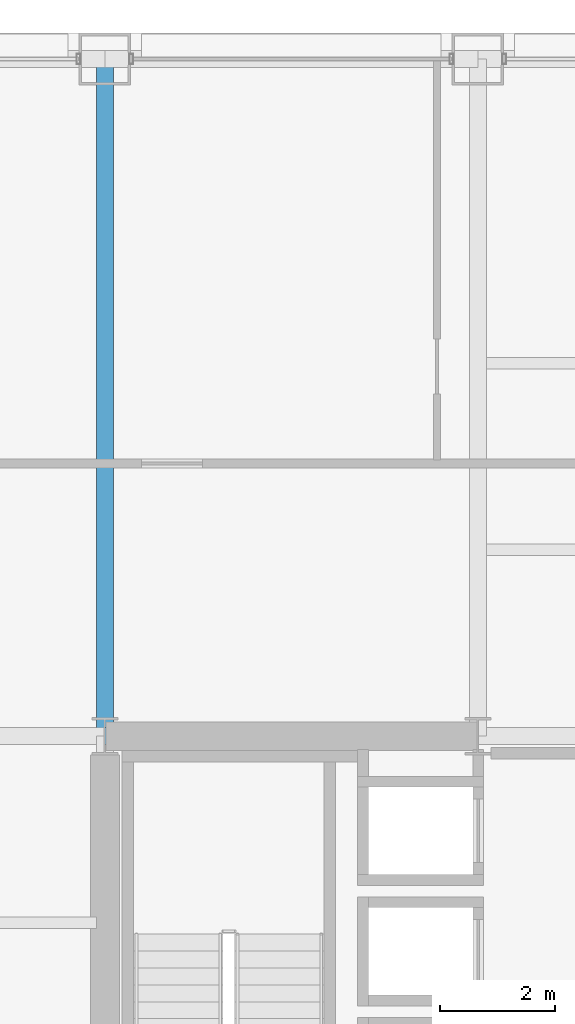
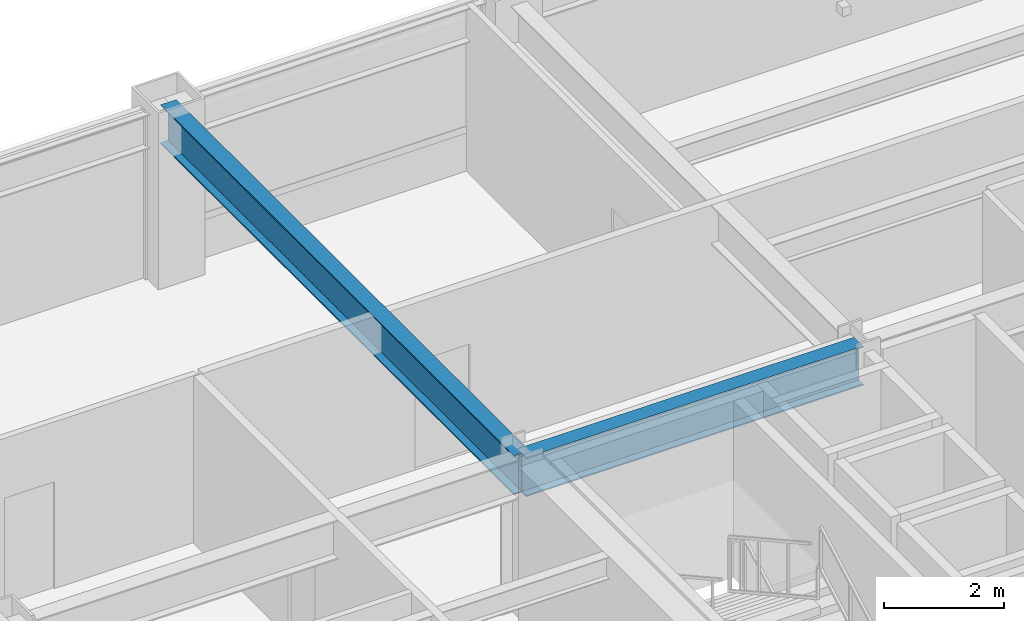
# One storey, part 16 of 30: 2 beams.
"""IFC4 building model written with IfcOpenShell, lengths in metres."""

import ifcopenshell
import ifcopenshell.guid

model = None  # the IFC model being written
_history = None  # IfcOwnerHistory: only IFC2X3 demands one
_inside = {}  # id of a spatial element -> (the spatial element, [elements in it])
_under = {}  # id of a project, library or spatial element -> (it, [spatial elements below it])
_declared = {}  # id of a project -> (the project, [libraries it declares])
_typed = {}  # id of a type object -> (the type object, [elements of that type])
_made_of = {}  # id of a material, layer set ... -> (it, [elements and type objects made of it])


def new_model(schema):
    """Start an empty IFC model of exactly this schema.

    Asked for "IFC4X3", IfcOpenShell would pick the latest addendum, in which some entities
    have other attributes; the version numbers below select the first issue.
    IFC2X3 requires an IfcOwnerHistory on every rooted entity: one is made here for all.
    """
    global model, _history
    if schema == "IFC4X3":
        model = ifcopenshell.file(schema_version=(4, 3, 0, 0))
    else:
        model = ifcopenshell.file(schema=schema)
    _inside.clear()
    _under.clear()
    _declared.clear()
    _typed.clear()
    _made_of.clear()
    _history = None
    if model.schema == "IFC2X3":
        org = make("IfcOrganization", Name="unknown")
        user = make(
            "IfcPersonAndOrganization",
            ThePerson=make("IfcPerson", FamilyName="unknown"),
            TheOrganization=org,
        )
        app = make(
            "IfcApplication",
            ApplicationDeveloper=org,
            Version="unknown",
            ApplicationFullName="unknown",
            ApplicationIdentifier="unknown",
        )
        _history = make(
            "IfcOwnerHistory",
            OwningUser=user,
            OwningApplication=app,
            ChangeAction="ADDED",
            CreationDate=0,
        )
    return model


def make(cls, **values):
    """One entity of the class cls with the attributes given. An attribute that is None is left unset."""
    return model.create_entity(
        cls, **{name: value for name, value in values.items() if value is not None}
    )


def rooted(cls, **values):
    """An entity with a GlobalId (a new one), such as an element, a storey or a relation."""
    return make(cls, GlobalId=ifcopenshell.guid.new(), OwnerHistory=_history, **values)


def si_unit(unit_type, name, prefix=None):
    """IfcSIUnit, for example si_unit("LENGTHUNIT", "METRE", prefix="MILLI")."""
    return make("IfcSIUnit", UnitType=unit_type, Prefix=prefix, Name=name)


def assignment(units):
    """IfcUnitAssignment: the units of a project."""
    return None if units is None else make("IfcUnitAssignment", Units=units)


def point(xyz):
    """IfcCartesianPoint."""
    return None if xyz is None else make("IfcCartesianPoint", Coordinates=xyz)


def direction(xyz):
    """IfcDirection."""
    return None if xyz is None else make("IfcDirection", DirectionRatios=xyz)


def frame(location, z_axis=None, x_axis=None):
    """IfcAxis2Placement3D, a coordinate frame: its origin and axes. An axis left out is left unset."""
    return make(
        "IfcAxis2Placement3D",
        Location=point(location),
        Axis=direction(z_axis),
        RefDirection=direction(x_axis),
    )


def frame_2d(location, x_axis=None):
    """IfcAxis2Placement2D, a coordinate frame in the plane: its origin and x axis."""
    return make(
        "IfcAxis2Placement2D", Location=point(location), RefDirection=direction(x_axis)
    )


def origin():
    """The frame at (0, 0, 0) with its axes left unset."""
    return frame((0.0, 0.0, 0.0))


def origin_2d():
    """The frame at (0, 0) in the plane with its x axis left unset."""
    return frame_2d((0.0, 0.0))


def place(relative_to, where):
    """IfcLocalPlacement: puts the frame where relative to a parent placement (None: the world)."""
    return make(
        "IfcLocalPlacement", PlacementRelTo=relative_to, RelativePlacement=where
    )


def context(
    kind, dimensions, precision=None, world=None, true_north=None, identifier=None
):
    """IfcGeometricRepresentationContext, for example the 3D "Model" context."""
    return make(
        "IfcGeometricRepresentationContext",
        ContextIdentifier=identifier,
        ContextType=kind,
        CoordinateSpaceDimension=dimensions,
        Precision=precision,
        WorldCoordinateSystem=world,
        TrueNorth=true_north,
    )


def subcontext(parent, identifier, kind, view, scale=None):
    """IfcGeometricRepresentationSubContext, for example "Body" below "Model"."""
    return make(
        "IfcGeometricRepresentationSubContext",
        ContextIdentifier=identifier,
        ContextType=kind,
        ParentContext=parent,
        TargetScale=scale,
        TargetView=view,
    )


def project(units=None, contexts=None):
    """IfcProject with its units and contexts."""
    return rooted(
        "IfcProject",
        Name="project",
        RepresentationContexts=contexts,
        UnitsInContext=assignment(units),
    )


def spatial(cls, under=None, at=None, **own):
    """A site, building, storey or space (cls), placed at a placement, below another one or the project."""
    s = rooted(cls, ObjectPlacement=at, **own)
    if under is not None:
        _under.setdefault(under.id(), (under, []))[1].append(s)
    return s


def profile(cls, at=None, kind="AREA", **sizes):
    """A parametric profile (cls). Its sizes go by their IFC names, for example OverallWidth=200.0."""
    return make(cls, ProfileType=kind, Position=at, **sizes)


def i_section(**sizes):
    """IfcIShapeProfileDef."""
    return profile("IfcIShapeProfileDef", **sizes)


def extrude(swept, where, along, depth):
    """IfcExtrudedAreaSolid: the profile swept, set in the frame where, extruded along a direction by depth."""
    return make(
        "IfcExtrudedAreaSolid",
        SweptArea=swept,
        Position=where,
        ExtrudedDirection=direction(along),
        Depth=depth,
    )


def shape(context_of_items, identifier, shape_type, items):
    """IfcShapeRepresentation: the items that make up one representation, for example the "Body"."""
    return make(
        "IfcShapeRepresentation",
        ContextOfItems=context_of_items,
        RepresentationIdentifier=identifier,
        RepresentationType=shape_type,
        Items=items,
    )


def material(Name=None, Category=None):
    """IfcMaterial."""
    return make("IfcMaterial", Name=Name, Category=Category)


def material_profile(
    of_material, cross_section, Name=None, Category=None, Priority=None
):
    """IfcMaterialProfile: a cross section and its material."""
    return make(
        "IfcMaterialProfile",
        Name=Name,
        Material=of_material,
        Profile=cross_section,
        Priority=Priority,
        Category=Category,
    )


def profile_set(profiles, Name=None, composite=None):
    """IfcMaterialProfileSet."""
    return make(
        "IfcMaterialProfileSet",
        Name=Name,
        MaterialProfiles=profiles,
        CompositeProfile=composite,
    )


def made_of(thing, what):
    """Note that an element or type object is made of a material, layer set ...; save() writes the relation."""
    if what is not None:
        _made_of.setdefault(what.id(), (what, []))[1].append(thing)
    return thing


def type_object(cls, material=None, **own):
    """A type object (cls), such as IfcWallType, which elements share."""
    return made_of(rooted(cls, **own), material)


def element(
    cls,
    number,
    at=None,
    inside=None,
    cuts=None,
    type_object=None,
    material=None,
    context=None,
    identifier="Body",
    shape_type=None,
    held_by="IfcProductDefinitionShape",
    body=None,
    shapes=None,
    **own,
):
    """One element of the class cls, such as IfcWall. Its Tag is "e" and its number.

    at: its placement. inside: the storey or other place that contains it. cuts: it is an
    opening in that element (IfcRelVoidsElement). A single representation is given by context,
    identifier, shape_type and body (its items); several are given by shapes. held_by: the class
    of the entity that holds the representations. save() writes the other relations.
    """
    e = rooted(cls, Tag="e%d" % number, ObjectPlacement=at, **own)
    if body is not None:
        shapes = [shape(context, identifier, shape_type, body)]
    if shapes is not None:
        e.Representation = make(held_by, Representations=shapes)
    if inside is not None:
        _inside.setdefault(inside.id(), (inside, []))[1].append(e)
    if cuts is not None:
        rooted(
            "IfcRelVoidsElement", RelatingBuildingElement=cuts, RelatedOpeningElement=e
        )
    if type_object is not None:
        _typed.setdefault(type_object.id(), (type_object, []))[1].append(e)
    return made_of(e, material)


def aggregate(whole, parts):
    """IfcRelAggregates: a whole, such as a stair, and the parts it consists of."""
    return rooted("IfcRelAggregates", RelatingObject=whole, RelatedObjects=parts)


def save(model, path):
    """Write the relations noted so far, then the file.

    IfcRelAggregates (storeys below a building ...), IfcRelContainedInSpatialStructure (elements
    in a storey), IfcRelDefinesByType, IfcRelAssociatesMaterial and IfcRelDeclares: one each for
    every whole, place, type object, material and project.
    """
    for whole, parts in _under.values():
        aggregate(whole, parts)
    for where, things in _inside.values():
        rooted(
            "IfcRelContainedInSpatialStructure",
            RelatedElements=things,
            RelatingStructure=where,
        )
    for kind, things in _typed.values():
        rooted("IfcRelDefinesByType", RelatedObjects=things, RelatingType=kind)
    for what, things in _made_of.values():
        rooted("IfcRelAssociatesMaterial", RelatedObjects=things, RelatingMaterial=what)
    for by, libraries in _declared.values():
        rooted("IfcRelDeclares", RelatingContext=by, RelatedDefinitions=libraries)
    model.write(path)


model = new_model("IFC4")

# Units and contexts
model_context = context("Model", 3, precision=1e-05, world=origin(), true_north=direction((0.0, 1.0)))
body_context = subcontext(model_context, "Body", "Model", "MODEL_VIEW")
ifc_project = project(units=[si_unit("LENGTHUNIT", "METRE"), si_unit("AREAUNIT", "SQUARE_METRE"), si_unit("VOLUMEUNIT", "CUBIC_METRE"), si_unit("PLANEANGLEUNIT", "RADIAN"), si_unit("MASSUNIT", "GRAM", prefix="KILO")], contexts=[model_context])

# Site, building, storey
site_placement = place(None, origin())
site = spatial("IfcSite", under=ifc_project, at=site_placement, CompositionType="ELEMENT")
building_placement = place(site_placement, origin())
building = spatial("IfcBuilding", under=site, at=building_placement, Name="Brelmoor Portico Tower", CompositionType="ELEMENT")
storey_placement = place(building_placement, frame((0.0, 0.0, 74.39990234375)))
storey = spatial("IfcBuildingStorey", under=building, at=storey_placement, Name="L19", CompositionType="ELEMENT", Elevation=74.39990234375)

# Beams
ifc_material = material(Name="Steel Q355B", Category="steel")
ifc_material_profile = material_profile(ifc_material, i_section(OverallWidth=0.300048828125, OverallDepth=0.800048828125, WebThickness=0.013916015625, FlangeThickness=0.02587890625, at=origin_2d()), Name="HN 800x300x14x26")
ifc_profile_set = profile_set([ifc_material_profile], Name="Steel Q355B")
beam_type = type_object("IfcBeamType", Name="BM-PG-800", PredefinedType="BEAM", material=ifc_profile_set)
beam_1_placement = place(storey_placement, frame((-14.550048828125, 9.75, 3.0), z_axis=(0.0, 1.0, 0.0), x_axis=(-1.0, 0.0, 0.0)))
element("IfcBeam", 1, at=beam_1_placement, inside=storey, type_object=beam_type, Name="L19 Primary Floor Girder PG-06", PredefinedType="BEAM", context=body_context, shape_type="SweptSolid", body=[
    extrude(i_section(OverallWidth=0.300048828125, OverallDepth=0.800048828125, WebThickness=0.013916015625, FlangeThickness=0.02587890625, at=origin_2d()), origin(), (0.0, 0.0, 1.0), 11.800048828125),
])
beam_2_placement = place(storey_placement, frame((-14.550048828125, 9.75, 3.0), z_axis=(1.0, 0.0, 0.0), x_axis=(0.0, 1.0, 0.0)))
element("IfcBeam", 2, at=beam_2_placement, inside=storey, type_object=beam_type, Name="L19 Primary Floor Girder PG-28", PredefinedType="BEAM", context=body_context, shape_type="SweptSolid", body=[
    extrude(i_section(OverallWidth=0.300048828125, OverallDepth=0.800048828125, WebThickness=0.013916015625, FlangeThickness=0.02587890625, at=origin_2d()), origin(), (0.0, 0.0, 1.0), 6.5),
])

save(model, "model.ifc")
